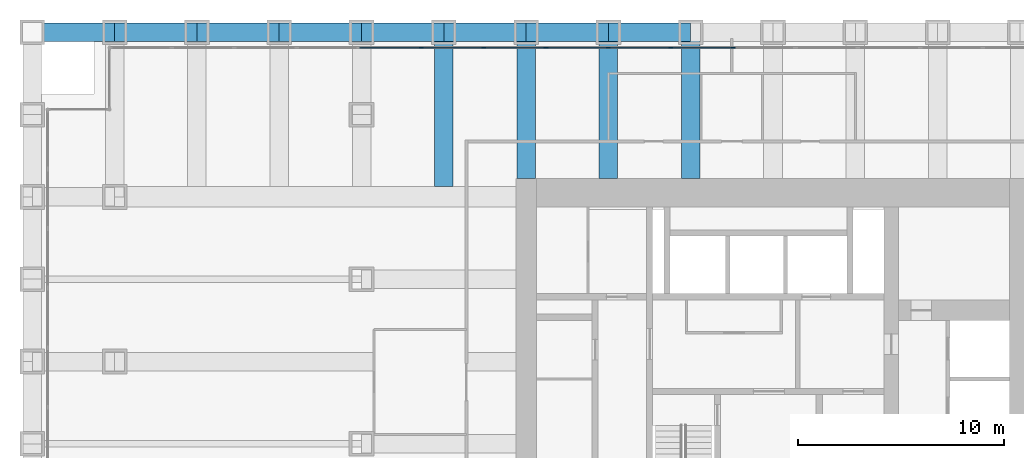
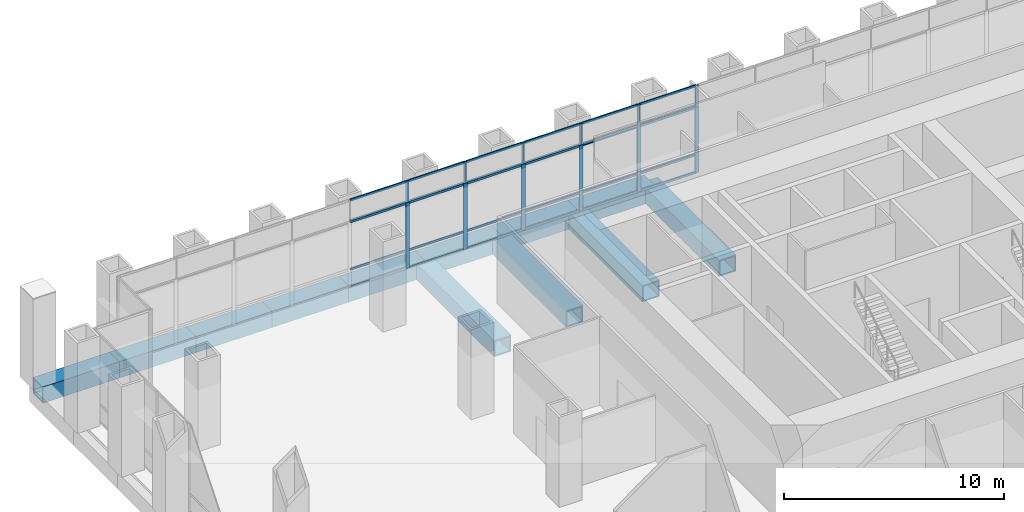
# One storey, part 9 of 18: 42 members, 12 beams, 2 elements without a shape of their own.
"""IFC4 building model written with IfcOpenShell, lengths in metres."""

from ifc_helpers import new_model, si_unit, direction, frame, origin, origin_2d, place, context, subcontext, project, spatial, rectangle, hollow_rectangle, extrude, material, material_profile, profile_set, type_object, element, aggregate, save


model = new_model("IFC4")

# Units and contexts
model_context = context("Model", 3, precision=1e-05, world=origin(), true_north=direction((0.0, 1.0)))
body_context = subcontext(model_context, "Body", "Model", "MODEL_VIEW")
ifc_project = project(units=[si_unit("LENGTHUNIT", "METRE"), si_unit("AREAUNIT", "SQUARE_METRE"), si_unit("VOLUMEUNIT", "CUBIC_METRE"), si_unit("PLANEANGLEUNIT", "RADIAN"), si_unit("MASSUNIT", "GRAM", prefix="KILO")], contexts=[model_context])

# Site, building, storey
site_placement = place(None, origin())
site = spatial("IfcSite", under=ifc_project, at=site_placement, CompositionType="ELEMENT")
building_placement = place(site_placement, origin())
building = spatial("IfcBuilding", under=site, at=building_placement, Name="Rimbunsela Tower", CompositionType="ELEMENT")
storey_placement = place(building_placement, frame((0.0, 0.0, 6.0)))
storey = spatial("IfcBuildingStorey", under=building, at=storey_placement, Name="L01", CompositionType="ELEMENT", Elevation=6.0)

# Beams
ifc_material_1 = material(Name="Steel BJ 55 (fy 410 MPa)", Category="steel")
ifc_material_profile_1 = material_profile(ifc_material_1, hollow_rectangle(XDim=0.89990234375, YDim=0.89990234375, WallThickness=0.06005859375, at=origin_2d()), Name="BOX 900x900x60")
ifc_profile_set_1 = profile_set([ifc_material_profile_1], Name="Steel BJ 55 (fy 410 MPa)")
beam_type = type_object("IfcBeamType", Name="Beam BOX 900x900x60", PredefinedType="BEAM", material=ifc_profile_set_1)
for number, where, z_axis, x_axis, name in (
    (1, (-6.0, 44.0, -0.60009765625), (1.0, 0.0, 0.0), (0.0, 1.0, 0.0), "Beam B1 L01"),
    (2, (-2.0, 44.0, -0.60009765625), (1.0, 0.0, 0.0), (0.0, 1.0, 0.0), "Beam B1 L01"),
    (3, (2.0, 44.0, -0.60009765625), (1.0, 0.0, 0.0), (0.0, 1.0, 0.0), "Beam B1 L01"),
    (4, (6.0, 44.0, -0.60009765625), (1.0, 0.0, 0.0), (0.0, 1.0, 0.0), "Beam B1 L01"),
    (5, (10.0, 44.0, -0.60009765625), (1.0, 0.0, 0.0), (0.0, 1.0, 0.0), "Beam B1 L01"),
):
    element("IfcBeam", number, at=place(storey_placement, frame(where, z_axis=z_axis, x_axis=x_axis)), inside=storey, type_object=beam_type, Name=name, PredefinedType="BEAM", context=body_context, shape_type="SweptSolid", body=[
        extrude(hollow_rectangle(XDim=0.89990234375, YDim=0.89990234375, WallThickness=0.06005859375, at=origin_2d()), origin(), (0.0, 0.0, 1.0), 4.0),
    ])
beam_1_placement = place(storey_placement, frame((14.0, 36.5, -0.60009765625), z_axis=(0.0, 1.0, 0.0), x_axis=(-1.0, 0.0, 0.0)))
element("IfcBeam", 6, at=beam_1_placement, inside=storey, type_object=beam_type, Name="Beam B1 L01", PredefinedType="BEAM", context=body_context, shape_type="SweptSolid", body=[
    extrude(hollow_rectangle(XDim=0.89990234375, YDim=0.89990234375, WallThickness=0.06005859375, at=origin_2d()), origin(), (0.0, 0.0, 1.0), 7.5),
])
beam_2_placement = place(storey_placement, frame((14.0, 44.0, -0.60009765625), z_axis=(1.0, 0.0, 0.0), x_axis=(0.0, 1.0, 0.0)))
element("IfcBeam", 7, at=beam_2_placement, inside=storey, type_object=beam_type, Name="Beam B1 L01", PredefinedType="BEAM", context=body_context, shape_type="SweptSolid", body=[
    extrude(hollow_rectangle(XDim=0.89990234375, YDim=0.89990234375, WallThickness=0.06005859375, at=origin_2d()), origin(), (0.0, 0.0, 1.0), 4.0),
])
beam_3_placement = place(storey_placement, frame((18.0, 36.89990234375, -0.60009765625), z_axis=(0.0, 1.0, 0.0), x_axis=(-1.0, 0.0, 0.0)))
element("IfcBeam", 8, at=beam_3_placement, inside=storey, type_object=beam_type, Name="Beam B1 L01", PredefinedType="BEAM", context=body_context, shape_type="SweptSolid", body=[
    extrude(hollow_rectangle(XDim=0.89990234375, YDim=0.89990234375, WallThickness=0.06005859375, at=origin_2d()), origin(), (0.0, 0.0, 1.0), 7.10009765625),
])
beam_4_placement = place(storey_placement, frame((18.0, 44.0, -0.60009765625), z_axis=(1.0, 0.0, 0.0), x_axis=(0.0, 1.0, 0.0)))
element("IfcBeam", 9, at=beam_4_placement, inside=storey, type_object=beam_type, Name="Beam B1 L01", PredefinedType="BEAM", context=body_context, shape_type="SweptSolid", body=[
    extrude(hollow_rectangle(XDim=0.89990234375, YDim=0.89990234375, WallThickness=0.06005859375, at=origin_2d()), origin(), (0.0, 0.0, 1.0), 4.0),
])
beam_5_placement = place(storey_placement, frame((22.0, 36.89990234375, -0.60009765625), z_axis=(0.0, 1.0, 0.0), x_axis=(-1.0, 0.0, 0.0)))
element("IfcBeam", 10, at=beam_5_placement, inside=storey, type_object=beam_type, Name="Beam B1 L01", PredefinedType="BEAM", context=body_context, shape_type="SweptSolid", body=[
    extrude(hollow_rectangle(XDim=0.89990234375, YDim=0.89990234375, WallThickness=0.06005859375, at=origin_2d()), origin(), (0.0, 0.0, 1.0), 7.10009765625),
])
beam_6_placement = place(storey_placement, frame((22.0, 44.0, -0.60009765625), z_axis=(1.0, 0.0, 0.0), x_axis=(0.0, 1.0, 0.0)))
element("IfcBeam", 11, at=beam_6_placement, inside=storey, type_object=beam_type, Name="Beam B1 L01", PredefinedType="BEAM", context=body_context, shape_type="SweptSolid", body=[
    extrude(hollow_rectangle(XDim=0.89990234375, YDim=0.89990234375, WallThickness=0.06005859375, at=origin_2d()), origin(), (0.0, 0.0, 1.0), 4.0),
])
beam_7_placement = place(storey_placement, frame((26.0, 36.89990234375, -0.60009765625), z_axis=(0.0, 1.0, 0.0), x_axis=(-1.0, 0.0, 0.0)))
element("IfcBeam", 12, at=beam_7_placement, inside=storey, type_object=beam_type, Name="Beam B1 L01", PredefinedType="BEAM", context=body_context, shape_type="SweptSolid", body=[
    extrude(hollow_rectangle(XDim=0.89990234375, YDim=0.89990234375, WallThickness=0.06005859375, at=origin_2d()), origin(), (0.0, 0.0, 1.0), 7.10009765625),
])

# Curtain wall, members
ifc_material_2 = material(Name="Aluminium curtain wall", Category="aluminium")
curtain_wall_type_1 = type_object("IfcCurtainWallType", Name="Spandrel wall", PredefinedType="USERDEFINED", material=ifc_material_2)
curtain_wall_1_placement = place(storey_placement, origin())
curtain_wall_1 = element("IfcCurtainWall", 13, at=curtain_wall_1_placement, inside=storey, type_object=curtain_wall_type_1, Name="Spandrel wall L01", ObjectType="SPANDREL WALL", PredefinedType="USERDEFINED")
ifc_material_3 = material(Name="Aluminium mullion", Category="aluminium")
ifc_material_profile_2 = material_profile(ifc_material_3, rectangle(XDim=0.06005859375, YDim=0.159912109375, at=origin_2d()), Name="Mullion 60x160")
ifc_profile_set_2 = profile_set([ifc_material_profile_2], Name="Aluminium mullion")
member_type_1 = type_object("IfcMemberType", Name="Curtain wall mullion 60x160", PredefinedType="MULLION", material=ifc_profile_set_2)
member_1_placement = place(storey_placement, frame((28.0625, 43.25, 3.64990234375), z_axis=(0.0, 0.0, 1.0), x_axis=(0.0, -1.0, 0.0)))
member_1 = element("IfcMember", 14, at=member_1_placement, type_object=member_type_1, Name="CW7 mullion 7", PredefinedType="MULLION", context=body_context, shape_type="SweptSolid", body=[
    extrude(rectangle(XDim=0.06005859375, YDim=0.159912109375, at=origin_2d()), origin(), (0.0, 0.0, 1.0), 1.2001953125),
])
member_2_placement = place(storey_placement, frame((25.03125, 43.25, 3.64990234375), z_axis=(0.0, 0.0, 1.0), x_axis=(0.0, -1.0, 0.0)))
member_2 = element("IfcMember", 15, at=member_2_placement, type_object=member_type_1, Name="CW7 mullion 8", PredefinedType="MULLION", context=body_context, shape_type="SweptSolid", body=[
    extrude(rectangle(XDim=0.06005859375, YDim=0.159912109375, at=origin_2d()), origin(), (0.0, 0.0, 1.0), 1.2001953125),
])
member_3_placement = place(storey_placement, frame((22.0, 43.25, 3.64990234375), z_axis=(0.0, 0.0, 1.0), x_axis=(0.0, -1.0, 0.0)))
member_3 = element("IfcMember", 16, at=member_3_placement, type_object=member_type_1, Name="CW7 mullion 9", PredefinedType="MULLION", context=body_context, shape_type="SweptSolid", body=[
    extrude(rectangle(XDim=0.06005859375, YDim=0.159912109375, at=origin_2d()), origin(), (0.0, 0.0, 1.0), 1.2001953125),
])
member_4_placement = place(storey_placement, frame((18.96875, 43.25, 3.64990234375), z_axis=(0.0, 0.0, 1.0), x_axis=(0.0, -1.0, 0.0)))
member_4 = element("IfcMember", 17, at=member_4_placement, type_object=member_type_1, Name="CW7 mullion 10", PredefinedType="MULLION", context=body_context, shape_type="SweptSolid", body=[
    extrude(rectangle(XDim=0.06005859375, YDim=0.159912109375, at=origin_2d()), origin(), (0.0, 0.0, 1.0), 1.2001953125),
])
member_5_placement = place(storey_placement, frame((15.9375, 43.25, 3.64990234375), z_axis=(0.0, 0.0, 1.0), x_axis=(0.0, -1.0, 0.0)))
member_5 = element("IfcMember", 18, at=member_5_placement, type_object=member_type_1, Name="CW7 mullion 11", PredefinedType="MULLION", context=body_context, shape_type="SweptSolid", body=[
    extrude(rectangle(XDim=0.06005859375, YDim=0.159912109375, at=origin_2d()), origin(), (0.0, 0.0, 1.0), 1.2001953125),
])
member_6_placement = place(storey_placement, frame((12.90625, 43.25, 3.64990234375), z_axis=(0.0, 0.0, 1.0), x_axis=(0.0, -1.0, 0.0)))
member_6 = element("IfcMember", 19, at=member_6_placement, type_object=member_type_1, Name="CW7 mullion 12", PredefinedType="MULLION", context=body_context, shape_type="SweptSolid", body=[
    extrude(rectangle(XDim=0.06005859375, YDim=0.159912109375, at=origin_2d()), origin(), (0.0, 0.0, 1.0), 1.2001953125),
])

ifc_material_4 = material(Name="Aluminium curtain wall", Category="aluminium")
curtain_wall_type_2 = type_object("IfcCurtainWallType", Name="Podium glazing", PredefinedType="USERDEFINED", material=ifc_material_4)
curtain_wall_2_placement = place(storey_placement, origin())
curtain_wall_2 = element("IfcCurtainWall", 20, at=curtain_wall_2_placement, inside=storey, type_object=curtain_wall_type_2, Name="Podium glazing L01", ObjectType="PODIUM GLAZING", PredefinedType="USERDEFINED")
ifc_material_5 = material(Name="Aluminium mullion", Category="aluminium")
ifc_material_profile_3 = material_profile(ifc_material_5, rectangle(XDim=0.06005859375, YDim=0.199951171875, at=origin_2d()), Name="Mullion 60x200")
ifc_profile_set_3 = profile_set([ifc_material_profile_3], Name="Aluminium mullion")
member_type_2 = type_object("IfcMemberType", Name="Curtain wall mullion 60x200", PredefinedType="MULLION", material=ifc_profile_set_3)
member_7_placement = place(storey_placement, frame((28.0625, 43.25, 0.0), z_axis=(0.0, 0.0, 1.0), x_axis=(0.0, -1.0, 0.0)))
member_7 = element("IfcMember", 21, at=member_7_placement, type_object=member_type_2, Name="CW1 mullion 7", PredefinedType="MULLION", context=body_context, shape_type="SweptSolid", body=[
    extrude(rectangle(XDim=0.06005859375, YDim=0.199951171875, at=origin_2d()), origin(), (0.0, 0.0, 1.0), 3.64990234375),
])
member_8_placement = place(storey_placement, frame((25.03125, 43.25, 0.0), z_axis=(0.0, 0.0, 1.0), x_axis=(0.0, -1.0, 0.0)))
member_8 = element("IfcMember", 22, at=member_8_placement, type_object=member_type_2, Name="CW1 mullion 8", PredefinedType="MULLION", context=body_context, shape_type="SweptSolid", body=[
    extrude(rectangle(XDim=0.06005859375, YDim=0.199951171875, at=origin_2d()), origin(), (0.0, 0.0, 1.0), 3.64990234375),
])
member_9_placement = place(storey_placement, frame((22.0, 43.25, 0.0), z_axis=(0.0, 0.0, 1.0), x_axis=(0.0, -1.0, 0.0)))
member_9 = element("IfcMember", 23, at=member_9_placement, type_object=member_type_2, Name="CW1 mullion 9", PredefinedType="MULLION", context=body_context, shape_type="SweptSolid", body=[
    extrude(rectangle(XDim=0.06005859375, YDim=0.199951171875, at=origin_2d()), origin(), (0.0, 0.0, 1.0), 3.64990234375),
])
member_10_placement = place(storey_placement, frame((18.96875, 43.25, 0.0), z_axis=(0.0, 0.0, 1.0), x_axis=(0.0, -1.0, 0.0)))
member_10 = element("IfcMember", 24, at=member_10_placement, type_object=member_type_2, Name="CW1 mullion 10", PredefinedType="MULLION", context=body_context, shape_type="SweptSolid", body=[
    extrude(rectangle(XDim=0.06005859375, YDim=0.199951171875, at=origin_2d()), origin(), (0.0, 0.0, 1.0), 3.64990234375),
])
member_11_placement = place(storey_placement, frame((15.9375, 43.25, 0.0), z_axis=(0.0, 0.0, 1.0), x_axis=(0.0, -1.0, 0.0)))
member_11 = element("IfcMember", 25, at=member_11_placement, type_object=member_type_2, Name="CW1 mullion 11", PredefinedType="MULLION", context=body_context, shape_type="SweptSolid", body=[
    extrude(rectangle(XDim=0.06005859375, YDim=0.199951171875, at=origin_2d()), origin(), (0.0, 0.0, 1.0), 3.64990234375),
])
member_12_placement = place(storey_placement, frame((12.90625, 43.25, 0.0), z_axis=(0.0, 0.0, 1.0), x_axis=(0.0, -1.0, 0.0)))
member_12 = element("IfcMember", 26, at=member_12_placement, type_object=member_type_2, Name="CW1 mullion 12", PredefinedType="MULLION", context=body_context, shape_type="SweptSolid", body=[
    extrude(rectangle(XDim=0.06005859375, YDim=0.199951171875, at=origin_2d()), origin(), (0.0, 0.0, 1.0), 3.64990234375),
])
ifc_material_6 = material(Name="Aluminium transom", Category="aluminium")
ifc_material_profile_4 = material_profile(ifc_material_6, rectangle(XDim=0.06005859375, YDim=0.1201171875, at=origin_2d()), Name="Transom 60x120")
ifc_profile_set_4 = profile_set([ifc_material_profile_4], Name="Aluminium transom")
member_type_3 = type_object("IfcMemberType", Name="Curtain wall transom 60x120", PredefinedType="USERDEFINED", material=ifc_profile_set_4)
member_13_placement = place(storey_placement, frame((28.032470703125, 43.25, 0.030029296875), z_axis=(-1.0, 0.0, 0.0), x_axis=(0.0, -1.0, 0.0)))
member_13 = element("IfcMember", 27, at=member_13_placement, type_object=member_type_3, Name="CW1 transom 7.1", ObjectType="TRANSOM", PredefinedType="USERDEFINED", context=body_context, shape_type="SweptSolid", body=[
    extrude(rectangle(XDim=0.06005859375, YDim=0.1201171875, at=origin_2d()), origin(), (0.0, 0.0, 1.0), 2.97119140625),
])
member_14_placement = place(storey_placement, frame((28.032470703125, 43.25, 1.0), z_axis=(-1.0, 0.0, 0.0), x_axis=(0.0, -1.0, 0.0)))
member_14 = element("IfcMember", 28, at=member_14_placement, type_object=member_type_3, Name="CW1 transom 7.2", ObjectType="TRANSOM", PredefinedType="USERDEFINED", context=body_context, shape_type="SweptSolid", body=[
    extrude(rectangle(XDim=0.06005859375, YDim=0.1201171875, at=origin_2d()), origin(), (0.0, 0.0, 1.0), 2.97119140625),
])
member_15_placement = place(storey_placement, frame((28.032470703125, 43.25, 3.6201171875), z_axis=(-1.0, 0.0, 0.0), x_axis=(0.0, -1.0, 0.0)))
member_15 = element("IfcMember", 29, at=member_15_placement, type_object=member_type_3, Name="CW1 transom 7.3", ObjectType="TRANSOM", PredefinedType="USERDEFINED", context=body_context, shape_type="SweptSolid", body=[
    extrude(rectangle(XDim=0.06005859375, YDim=0.1201171875, at=origin_2d()), origin(), (0.0, 0.0, 1.0), 2.97119140625),
])
member_16_placement = place(storey_placement, frame((25.001220703125, 43.25, 0.030029296875), z_axis=(-1.0, 0.0, 0.0), x_axis=(0.0, -1.0, 0.0)))
member_16 = element("IfcMember", 30, at=member_16_placement, type_object=member_type_3, Name="CW1 transom 8.1", ObjectType="TRANSOM", PredefinedType="USERDEFINED", context=body_context, shape_type="SweptSolid", body=[
    extrude(rectangle(XDim=0.06005859375, YDim=0.1201171875, at=origin_2d()), origin(), (0.0, 0.0, 1.0), 2.97119140625),
])
member_17_placement = place(storey_placement, frame((25.001220703125, 43.25, 1.0), z_axis=(-1.0, 0.0, 0.0), x_axis=(0.0, -1.0, 0.0)))
member_17 = element("IfcMember", 31, at=member_17_placement, type_object=member_type_3, Name="CW1 transom 8.2", ObjectType="TRANSOM", PredefinedType="USERDEFINED", context=body_context, shape_type="SweptSolid", body=[
    extrude(rectangle(XDim=0.06005859375, YDim=0.1201171875, at=origin_2d()), origin(), (0.0, 0.0, 1.0), 2.97119140625),
])
member_18_placement = place(storey_placement, frame((25.001220703125, 43.25, 3.6201171875), z_axis=(-1.0, 0.0, 0.0), x_axis=(0.0, -1.0, 0.0)))
member_18 = element("IfcMember", 32, at=member_18_placement, type_object=member_type_3, Name="CW1 transom 8.3", ObjectType="TRANSOM", PredefinedType="USERDEFINED", context=body_context, shape_type="SweptSolid", body=[
    extrude(rectangle(XDim=0.06005859375, YDim=0.1201171875, at=origin_2d()), origin(), (0.0, 0.0, 1.0), 2.97119140625),
])
member_19_placement = place(storey_placement, frame((21.969970703125, 43.25, 0.030029296875), z_axis=(-1.0, 0.0, 0.0), x_axis=(0.0, -1.0, 0.0)))
member_19 = element("IfcMember", 33, at=member_19_placement, type_object=member_type_3, Name="CW1 transom 9.1", ObjectType="TRANSOM", PredefinedType="USERDEFINED", context=body_context, shape_type="SweptSolid", body=[
    extrude(rectangle(XDim=0.06005859375, YDim=0.1201171875, at=origin_2d()), origin(), (0.0, 0.0, 1.0), 2.97119140625),
])
member_20_placement = place(storey_placement, frame((21.969970703125, 43.25, 1.0), z_axis=(-1.0, 0.0, 0.0), x_axis=(0.0, -1.0, 0.0)))
member_20 = element("IfcMember", 34, at=member_20_placement, type_object=member_type_3, Name="CW1 transom 9.2", ObjectType="TRANSOM", PredefinedType="USERDEFINED", context=body_context, shape_type="SweptSolid", body=[
    extrude(rectangle(XDim=0.06005859375, YDim=0.1201171875, at=origin_2d()), origin(), (0.0, 0.0, 1.0), 2.97119140625),
])
member_21_placement = place(storey_placement, frame((21.969970703125, 43.25, 3.6201171875), z_axis=(-1.0, 0.0, 0.0), x_axis=(0.0, -1.0, 0.0)))
member_21 = element("IfcMember", 35, at=member_21_placement, type_object=member_type_3, Name="CW1 transom 9.3", ObjectType="TRANSOM", PredefinedType="USERDEFINED", context=body_context, shape_type="SweptSolid", body=[
    extrude(rectangle(XDim=0.06005859375, YDim=0.1201171875, at=origin_2d()), origin(), (0.0, 0.0, 1.0), 2.97119140625),
])
member_22_placement = place(storey_placement, frame((18.938720703125, 43.25, 0.030029296875), z_axis=(-1.0, 0.0, 0.0), x_axis=(0.0, -1.0, 0.0)))
member_22 = element("IfcMember", 36, at=member_22_placement, type_object=member_type_3, Name="CW1 transom 10.1", ObjectType="TRANSOM", PredefinedType="USERDEFINED", context=body_context, shape_type="SweptSolid", body=[
    extrude(rectangle(XDim=0.06005859375, YDim=0.1201171875, at=origin_2d()), origin(), (0.0, 0.0, 1.0), 2.97119140625),
])
member_23_placement = place(storey_placement, frame((18.938720703125, 43.25, 1.0), z_axis=(-1.0, 0.0, 0.0), x_axis=(0.0, -1.0, 0.0)))
member_23 = element("IfcMember", 37, at=member_23_placement, type_object=member_type_3, Name="CW1 transom 10.2", ObjectType="TRANSOM", PredefinedType="USERDEFINED", context=body_context, shape_type="SweptSolid", body=[
    extrude(rectangle(XDim=0.06005859375, YDim=0.1201171875, at=origin_2d()), origin(), (0.0, 0.0, 1.0), 2.97119140625),
])
member_24_placement = place(storey_placement, frame((18.938720703125, 43.25, 3.6201171875), z_axis=(-1.0, 0.0, 0.0), x_axis=(0.0, -1.0, 0.0)))
member_24 = element("IfcMember", 38, at=member_24_placement, type_object=member_type_3, Name="CW1 transom 10.3", ObjectType="TRANSOM", PredefinedType="USERDEFINED", context=body_context, shape_type="SweptSolid", body=[
    extrude(rectangle(XDim=0.06005859375, YDim=0.1201171875, at=origin_2d()), origin(), (0.0, 0.0, 1.0), 2.97119140625),
])
member_25_placement = place(storey_placement, frame((15.907470703125, 43.25, 0.030029296875), z_axis=(-1.0, 0.0, 0.0), x_axis=(0.0, -1.0, 0.0)))
member_25 = element("IfcMember", 39, at=member_25_placement, type_object=member_type_3, Name="CW1 transom 11.1", ObjectType="TRANSOM", PredefinedType="USERDEFINED", context=body_context, shape_type="SweptSolid", body=[
    extrude(rectangle(XDim=0.06005859375, YDim=0.1201171875, at=origin_2d()), origin(), (0.0, 0.0, 1.0), 2.97119140625),
])
member_26_placement = place(storey_placement, frame((15.907470703125, 43.25, 1.0), z_axis=(-1.0, 0.0, 0.0), x_axis=(0.0, -1.0, 0.0)))
member_26 = element("IfcMember", 40, at=member_26_placement, type_object=member_type_3, Name="CW1 transom 11.2", ObjectType="TRANSOM", PredefinedType="USERDEFINED", context=body_context, shape_type="SweptSolid", body=[
    extrude(rectangle(XDim=0.06005859375, YDim=0.1201171875, at=origin_2d()), origin(), (0.0, 0.0, 1.0), 2.97119140625),
])
member_27_placement = place(storey_placement, frame((15.907470703125, 43.25, 3.6201171875), z_axis=(-1.0, 0.0, 0.0), x_axis=(0.0, -1.0, 0.0)))
member_27 = element("IfcMember", 41, at=member_27_placement, type_object=member_type_3, Name="CW1 transom 11.3", ObjectType="TRANSOM", PredefinedType="USERDEFINED", context=body_context, shape_type="SweptSolid", body=[
    extrude(rectangle(XDim=0.06005859375, YDim=0.1201171875, at=origin_2d()), origin(), (0.0, 0.0, 1.0), 2.97119140625),
])
member_28_placement = place(storey_placement, frame((12.876220703125, 43.25, 0.030029296875), z_axis=(-1.0, 0.0, 0.0), x_axis=(0.0, -1.0, 0.0)))
member_28 = element("IfcMember", 42, at=member_28_placement, type_object=member_type_3, Name="CW1 transom 12.1", ObjectType="TRANSOM", PredefinedType="USERDEFINED", context=body_context, shape_type="SweptSolid", body=[
    extrude(rectangle(XDim=0.06005859375, YDim=0.1201171875, at=origin_2d()), origin(), (0.0, 0.0, 1.0), 2.97119140625),
])
member_29_placement = place(storey_placement, frame((12.876220703125, 43.25, 1.0), z_axis=(-1.0, 0.0, 0.0), x_axis=(0.0, -1.0, 0.0)))
member_29 = element("IfcMember", 43, at=member_29_placement, type_object=member_type_3, Name="CW1 transom 12.2", ObjectType="TRANSOM", PredefinedType="USERDEFINED", context=body_context, shape_type="SweptSolid", body=[
    extrude(rectangle(XDim=0.06005859375, YDim=0.1201171875, at=origin_2d()), origin(), (0.0, 0.0, 1.0), 2.97119140625),
])
member_30_placement = place(storey_placement, frame((12.876220703125, 43.25, 3.6201171875), z_axis=(-1.0, 0.0, 0.0), x_axis=(0.0, -1.0, 0.0)))
member_30 = element("IfcMember", 44, at=member_30_placement, type_object=member_type_3, Name="CW1 transom 12.3", ObjectType="TRANSOM", PredefinedType="USERDEFINED", context=body_context, shape_type="SweptSolid", body=[
    extrude(rectangle(XDim=0.06005859375, YDim=0.1201171875, at=origin_2d()), origin(), (0.0, 0.0, 1.0), 2.97119140625),
])
aggregate(curtain_wall_2, [member_7, member_8, member_9, member_10, member_11, member_12, member_13, member_14, member_15, member_16, member_17, member_18, member_19, member_20, member_21, member_22, member_23, member_24, member_25, member_26, member_27, member_28, member_29, member_30])

# Member
member_31_placement = place(storey_placement, frame((28.032470703125, 43.25, 3.679931640625), z_axis=(-1.0, 0.0, 0.0), x_axis=(0.0, -1.0, 0.0)))
member_31 = element("IfcMember", 45, at=member_31_placement, type_object=member_type_3, Name="CW7 transom 7.1", ObjectType="TRANSOM", PredefinedType="USERDEFINED", context=body_context, shape_type="SweptSolid", body=[
    extrude(rectangle(XDim=0.06005859375, YDim=0.1201171875, at=origin_2d()), origin(), (0.0, 0.0, 1.0), 2.97119140625),
])

member_32_placement = place(storey_placement, frame((28.032470703125, 43.25, 4.820068359375), z_axis=(-1.0, 0.0, 0.0), x_axis=(0.0, -1.0, 0.0)))
member_32 = element("IfcMember", 46, at=member_32_placement, type_object=member_type_3, Name="CW7 transom 7.2", ObjectType="TRANSOM", PredefinedType="USERDEFINED", context=body_context, shape_type="SweptSolid", body=[
    extrude(rectangle(XDim=0.06005859375, YDim=0.1201171875, at=origin_2d()), origin(), (0.0, 0.0, 1.0), 2.97119140625),
])

member_33_placement = place(storey_placement, frame((25.001220703125, 43.25, 3.679931640625), z_axis=(-1.0, 0.0, 0.0), x_axis=(0.0, -1.0, 0.0)))
member_33 = element("IfcMember", 47, at=member_33_placement, type_object=member_type_3, Name="CW7 transom 8.1", ObjectType="TRANSOM", PredefinedType="USERDEFINED", context=body_context, shape_type="SweptSolid", body=[
    extrude(rectangle(XDim=0.06005859375, YDim=0.1201171875, at=origin_2d()), origin(), (0.0, 0.0, 1.0), 2.97119140625),
])

member_34_placement = place(storey_placement, frame((25.001220703125, 43.25, 4.820068359375), z_axis=(-1.0, 0.0, 0.0), x_axis=(0.0, -1.0, 0.0)))
member_34 = element("IfcMember", 48, at=member_34_placement, type_object=member_type_3, Name="CW7 transom 8.2", ObjectType="TRANSOM", PredefinedType="USERDEFINED", context=body_context, shape_type="SweptSolid", body=[
    extrude(rectangle(XDim=0.06005859375, YDim=0.1201171875, at=origin_2d()), origin(), (0.0, 0.0, 1.0), 2.97119140625),
])

member_35_placement = place(storey_placement, frame((21.969970703125, 43.25, 3.679931640625), z_axis=(-1.0, 0.0, 0.0), x_axis=(0.0, -1.0, 0.0)))
member_35 = element("IfcMember", 49, at=member_35_placement, type_object=member_type_3, Name="CW7 transom 9.1", ObjectType="TRANSOM", PredefinedType="USERDEFINED", context=body_context, shape_type="SweptSolid", body=[
    extrude(rectangle(XDim=0.06005859375, YDim=0.1201171875, at=origin_2d()), origin(), (0.0, 0.0, 1.0), 2.97119140625),
])

member_36_placement = place(storey_placement, frame((21.969970703125, 43.25, 4.820068359375), z_axis=(-1.0, 0.0, 0.0), x_axis=(0.0, -1.0, 0.0)))
member_36 = element("IfcMember", 50, at=member_36_placement, type_object=member_type_3, Name="CW7 transom 9.2", ObjectType="TRANSOM", PredefinedType="USERDEFINED", context=body_context, shape_type="SweptSolid", body=[
    extrude(rectangle(XDim=0.06005859375, YDim=0.1201171875, at=origin_2d()), origin(), (0.0, 0.0, 1.0), 2.97119140625),
])

member_37_placement = place(storey_placement, frame((18.938720703125, 43.25, 3.679931640625), z_axis=(-1.0, 0.0, 0.0), x_axis=(0.0, -1.0, 0.0)))
member_37 = element("IfcMember", 51, at=member_37_placement, type_object=member_type_3, Name="CW7 transom 10.1", ObjectType="TRANSOM", PredefinedType="USERDEFINED", context=body_context, shape_type="SweptSolid", body=[
    extrude(rectangle(XDim=0.06005859375, YDim=0.1201171875, at=origin_2d()), origin(), (0.0, 0.0, 1.0), 2.97119140625),
])

member_38_placement = place(storey_placement, frame((18.938720703125, 43.25, 4.820068359375), z_axis=(-1.0, 0.0, 0.0), x_axis=(0.0, -1.0, 0.0)))
member_38 = element("IfcMember", 52, at=member_38_placement, type_object=member_type_3, Name="CW7 transom 10.2", ObjectType="TRANSOM", PredefinedType="USERDEFINED", context=body_context, shape_type="SweptSolid", body=[
    extrude(rectangle(XDim=0.06005859375, YDim=0.1201171875, at=origin_2d()), origin(), (0.0, 0.0, 1.0), 2.97119140625),
])

member_39_placement = place(storey_placement, frame((15.907470703125, 43.25, 3.679931640625), z_axis=(-1.0, 0.0, 0.0), x_axis=(0.0, -1.0, 0.0)))
member_39 = element("IfcMember", 53, at=member_39_placement, type_object=member_type_3, Name="CW7 transom 11.1", ObjectType="TRANSOM", PredefinedType="USERDEFINED", context=body_context, shape_type="SweptSolid", body=[
    extrude(rectangle(XDim=0.06005859375, YDim=0.1201171875, at=origin_2d()), origin(), (0.0, 0.0, 1.0), 2.97119140625),
])

member_40_placement = place(storey_placement, frame((15.907470703125, 43.25, 4.820068359375), z_axis=(-1.0, 0.0, 0.0), x_axis=(0.0, -1.0, 0.0)))
member_40 = element("IfcMember", 54, at=member_40_placement, type_object=member_type_3, Name="CW7 transom 11.2", ObjectType="TRANSOM", PredefinedType="USERDEFINED", context=body_context, shape_type="SweptSolid", body=[
    extrude(rectangle(XDim=0.06005859375, YDim=0.1201171875, at=origin_2d()), origin(), (0.0, 0.0, 1.0), 2.97119140625),
])

member_41_placement = place(storey_placement, frame((12.876220703125, 43.25, 3.679931640625), z_axis=(-1.0, 0.0, 0.0), x_axis=(0.0, -1.0, 0.0)))
member_41 = element("IfcMember", 55, at=member_41_placement, type_object=member_type_3, Name="CW7 transom 12.1", ObjectType="TRANSOM", PredefinedType="USERDEFINED", context=body_context, shape_type="SweptSolid", body=[
    extrude(rectangle(XDim=0.06005859375, YDim=0.1201171875, at=origin_2d()), origin(), (0.0, 0.0, 1.0), 2.97119140625),
])

member_42_placement = place(storey_placement, frame((12.876220703125, 43.25, 4.820068359375), z_axis=(-1.0, 0.0, 0.0), x_axis=(0.0, -1.0, 0.0)))
member_42 = element("IfcMember", 56, at=member_42_placement, type_object=member_type_3, Name="CW7 transom 12.2", ObjectType="TRANSOM", PredefinedType="USERDEFINED", context=body_context, shape_type="SweptSolid", body=[
    extrude(rectangle(XDim=0.06005859375, YDim=0.1201171875, at=origin_2d()), origin(), (0.0, 0.0, 1.0), 2.97119140625),
])

aggregate(curtain_wall_1, [member_1, member_2, member_3, member_4, member_5, member_6, member_31, member_32, member_33, member_34, member_35, member_36, member_37, member_38, member_39, member_40, member_41, member_42])

save(model, "model.ifc")
